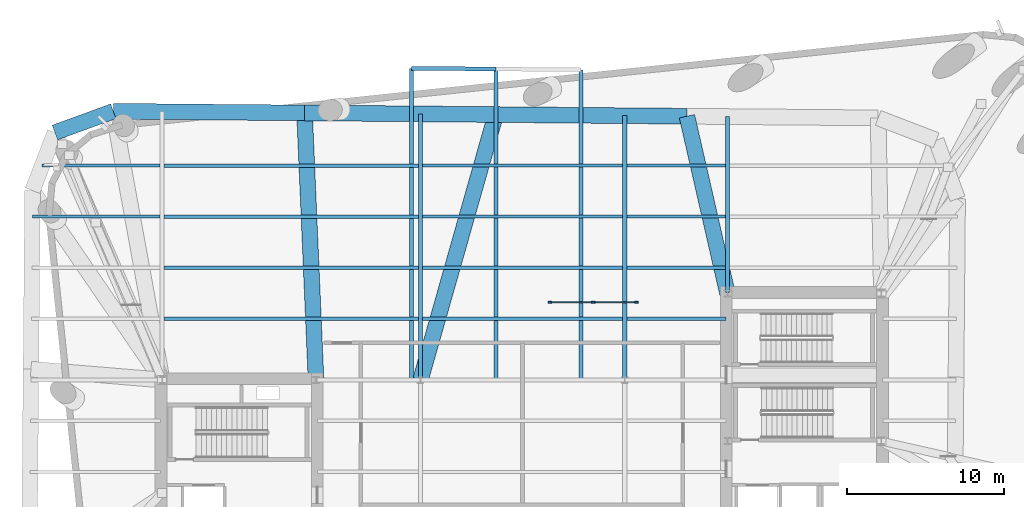
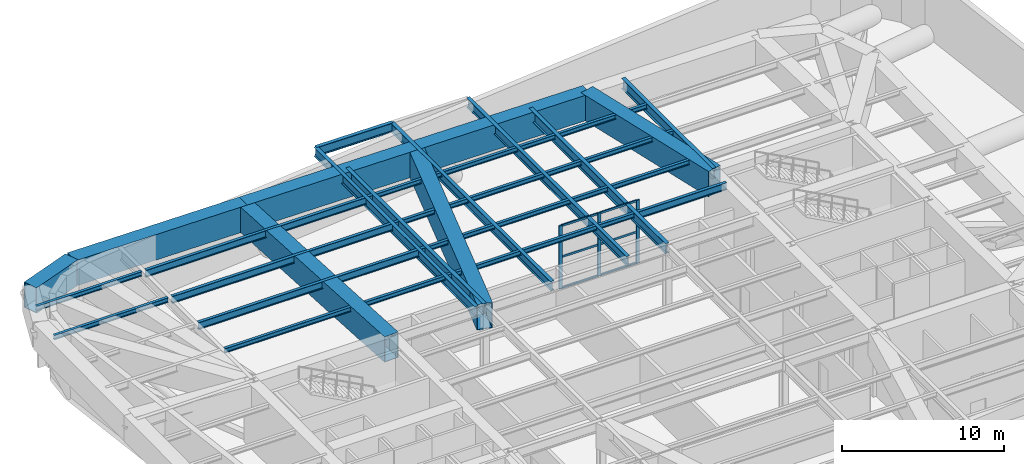
# One storey, part 4 of 15: 28 beams, 9 members, 1 element without a shape of its own.
"""IFC4 building model written with IfcOpenShell, lengths in metres."""

from ifc_helpers import new_model, si_unit, direction, frame, origin, origin_2d, place, context, subcontext, project, spatial, rectangle, hollow_rectangle, i_section, extrude, material, material_profile, profile_set, type_object, element, aggregate, save


model = new_model("IFC4")

# Units and contexts
model_context = context("Model", 3, precision=1e-05, world=origin(), true_north=direction((0.0, 1.0)))
body_context = subcontext(model_context, "Body", "Model", "MODEL_VIEW")
ifc_project = project(units=[si_unit("LENGTHUNIT", "METRE"), si_unit("AREAUNIT", "SQUARE_METRE"), si_unit("VOLUMEUNIT", "CUBIC_METRE"), si_unit("PLANEANGLEUNIT", "RADIAN"), si_unit("MASSUNIT", "GRAM", prefix="KILO")], contexts=[model_context])

# Site, building, storey
site_placement = place(None, origin())
site = spatial("IfcSite", under=ifc_project, at=site_placement, CompositionType="ELEMENT")
building_placement = place(site_placement, origin())
building = spatial("IfcBuilding", under=site, at=building_placement, Name="Kolvaren Arena Tower", CompositionType="ELEMENT")
storey_placement = place(building_placement, frame((0.0, 0.0, 153.25)))
storey = spatial("IfcBuildingStorey", under=building, at=storey_placement, Name="L36", CompositionType="ELEMENT", Elevation=153.25)

# Beams
ifc_material_1 = material(Name="Steel CSA G40.21 350W", Category="steel")
ifc_material_profile_1 = material_profile(ifc_material_1, i_section(OverallWidth=0.2119140625, OverallDepth=0.54296875, WebThickness=0.01318359375, FlangeThickness=0.0244140625, FilletRadius=0.013916015625, at=origin_2d()), Name="W530x150")
ifc_profile_set_1 = profile_set([ifc_material_profile_1], Name="Steel CSA G40.21 350W")
beam_type_1 = type_object("IfcBeamType", Name="BEAM-F1", PredefinedType="BEAM", material=ifc_profile_set_1)
beam_1_placement = place(storey_placement, frame((44.135009765625, 37.75, 4.478515625), z_axis=(1.0, 0.0, 0.0), x_axis=(0.0, 1.0, 0.0)))
element("IfcBeam", 1, at=beam_1_placement, inside=storey, type_object=beam_type_1, Name="Composite Floor Beam (L36)", PredefinedType="BEAM", context=body_context, shape_type="SweptSolid", body=[
    extrude(i_section(OverallWidth=0.2119140625, OverallDepth=0.54296875, WebThickness=0.01318359375, FlangeThickness=0.0244140625, FilletRadius=0.013916015625, at=origin_2d()), origin(), (0.0, 0.0, 1.0), 6.320068359375),
])
for number, where, z_axis, x_axis, name in (
    (2, (14.68505859375, 41.0, 4.478515625), (1.0, 0.0, 0.0), (0.0, 1.0, 0.0), "Composite Floor Beam (L36)"),
    (3, (14.68505859375, 44.25, 4.478515625), (1.0, 0.0, 0.0), (0.0, 1.0, 0.0), "Composite Floor Beam (L36)"),
    (4, (14.68505859375, 47.5, 4.478515625), (1.0, 0.0, 0.0), (0.0, 1.0, 0.0), "Composite Floor Beam (L36)"),
):
    element("IfcBeam", number, at=place(storey_placement, frame(where, z_axis=z_axis, x_axis=x_axis)), inside=storey, type_object=beam_type_1, Name=name, PredefinedType="BEAM", context=body_context, shape_type="SweptSolid", body=[
        extrude(i_section(OverallWidth=0.2119140625, OverallDepth=0.54296875, WebThickness=0.01318359375, FlangeThickness=0.0244140625, FilletRadius=0.013916015625, at=origin_2d()), origin(), (0.0, 0.0, 1.0), 16.179931640625),
    ])

# Curtain wall, members
ifc_material_2 = material(Name="Anodised aluminium unitised curtain wall", Category="aluminium")
curtain_wall_type = type_object("IfcCurtainWallType", Name="CW-SYS-05", PredefinedType="USERDEFINED", material=ifc_material_2)
curtain_wall_placement = place(storey_placement, origin())
curtain_wall = element("IfcCurtainWall", 5, at=curtain_wall_placement, inside=storey, type_object=curtain_wall_type, Name="Mechanical Plant Louvre Curtain Wall (L36)", ObjectType="ACOUSTIC LOUVRE SCREEN", PredefinedType="USERDEFINED")
ifc_material_3 = material(Name="Anodised aluminium 6063-T6", Category="aluminium")
ifc_material_profile_2 = material_profile(ifc_material_3, rectangle(XDim=0.10009765625, YDim=0.239990234375, at=origin_2d()), Name="ALU-100x240")
ifc_profile_set_2 = profile_set([ifc_material_profile_2], Name="Anodised aluminium 6063-T6")
member_type_1 = type_object("IfcMemberType", Name="CWM-HVY", PredefinedType="MULLION", material=ifc_profile_set_2)
member_1_placement = place(storey_placement, frame((39.25, 38.800048828125, 0.0), z_axis=(0.0, 0.0, 1.0), x_axis=(0.0, 1.0, 0.0)))
member_1 = element("IfcMember", 6, at=member_1_placement, type_object=member_type_1, Name="CW5 mullion 1", PredefinedType="MULLION", context=body_context, shape_type="SweptSolid", body=[
    extrude(rectangle(XDim=0.10009765625, YDim=0.239990234375, at=origin_2d()), origin(), (0.0, 0.0, 1.0), 4.75),
])
member_2_placement = place(storey_placement, frame((42.0, 38.800048828125, 0.0), z_axis=(0.0, 0.0, 1.0), x_axis=(0.0, 1.0, 0.0)))
member_2 = element("IfcMember", 7, at=member_2_placement, type_object=member_type_1, Name="CW5 mullion 2", PredefinedType="MULLION", context=body_context, shape_type="SweptSolid", body=[
    extrude(rectangle(XDim=0.10009765625, YDim=0.239990234375, at=origin_2d()), origin(), (0.0, 0.0, 1.0), 4.75),
])
member_3_placement = place(storey_placement, frame((44.75, 38.800048828125, 0.0), z_axis=(0.0, 0.0, 1.0), x_axis=(0.0, 1.0, 0.0)))
member_3 = element("IfcMember", 8, at=member_3_placement, type_object=member_type_1, Name="CW5 mullion 3", PredefinedType="MULLION", context=body_context, shape_type="SweptSolid", body=[
    extrude(rectangle(XDim=0.10009765625, YDim=0.239990234375, at=origin_2d()), origin(), (0.0, 0.0, 1.0), 4.75),
])
ifc_material_profile_3 = material_profile(ifc_material_3, rectangle(XDim=0.080078125, YDim=0.14990234375, at=origin_2d()), Name="ALU-80x150")
ifc_profile_set_3 = profile_set([ifc_material_profile_3], Name="Anodised aluminium 6063-T6")
member_type_2 = type_object("IfcMemberType", Name="CWT-STD", PredefinedType="USERDEFINED", material=ifc_profile_set_3)
member_4_placement = place(storey_placement, frame((39.300048828125, 38.800048828125, 0.0400390625), z_axis=(1.0, 0.0, 0.0), x_axis=(0.0, 1.0, 0.0)))
member_4 = element("IfcMember", 9, at=member_4_placement, type_object=member_type_2, Name="CW5 transom 1.1", ObjectType="TRANSOM", PredefinedType="USERDEFINED", context=body_context, shape_type="SweptSolid", body=[
    extrude(rectangle(XDim=0.080078125, YDim=0.14990234375, at=origin_2d()), origin(), (0.0, 0.0, 1.0), 2.64990234375),
])
member_5_placement = place(storey_placement, frame((39.300048828125, 38.800048828125, 2.375), z_axis=(1.0, 0.0, 0.0), x_axis=(0.0, 1.0, 0.0)))
member_5 = element("IfcMember", 10, at=member_5_placement, type_object=member_type_2, Name="CW5 transom 1.2", ObjectType="TRANSOM", PredefinedType="USERDEFINED", context=body_context, shape_type="SweptSolid", body=[
    extrude(rectangle(XDim=0.080078125, YDim=0.14990234375, at=origin_2d()), origin(), (0.0, 0.0, 1.0), 2.64990234375),
])
member_6_placement = place(storey_placement, frame((39.300048828125, 38.800048828125, 4.7099609375), z_axis=(1.0, 0.0, 0.0), x_axis=(0.0, 1.0, 0.0)))
member_6 = element("IfcMember", 11, at=member_6_placement, type_object=member_type_2, Name="CW5 transom 1.3", ObjectType="TRANSOM", PredefinedType="USERDEFINED", context=body_context, shape_type="SweptSolid", body=[
    extrude(rectangle(XDim=0.080078125, YDim=0.14990234375, at=origin_2d()), origin(), (0.0, 0.0, 1.0), 2.64990234375),
])
member_7_placement = place(storey_placement, frame((42.050048828125, 38.800048828125, 0.0400390625), z_axis=(1.0, 0.0, 0.0), x_axis=(0.0, 1.0, 0.0)))
member_7 = element("IfcMember", 12, at=member_7_placement, type_object=member_type_2, Name="CW5 transom 2.1", ObjectType="TRANSOM", PredefinedType="USERDEFINED", context=body_context, shape_type="SweptSolid", body=[
    extrude(rectangle(XDim=0.080078125, YDim=0.14990234375, at=origin_2d()), origin(), (0.0, 0.0, 1.0), 2.64990234375),
])
member_8_placement = place(storey_placement, frame((42.050048828125, 38.800048828125, 2.375), z_axis=(1.0, 0.0, 0.0), x_axis=(0.0, 1.0, 0.0)))
member_8 = element("IfcMember", 13, at=member_8_placement, type_object=member_type_2, Name="CW5 transom 2.2", ObjectType="TRANSOM", PredefinedType="USERDEFINED", context=body_context, shape_type="SweptSolid", body=[
    extrude(rectangle(XDim=0.080078125, YDim=0.14990234375, at=origin_2d()), origin(), (0.0, 0.0, 1.0), 2.64990234375),
])
member_9_placement = place(storey_placement, frame((42.050048828125, 38.800048828125, 4.7099609375), z_axis=(1.0, 0.0, 0.0), x_axis=(0.0, 1.0, 0.0)))
member_9 = element("IfcMember", 14, at=member_9_placement, type_object=member_type_2, Name="CW5 transom 2.3", ObjectType="TRANSOM", PredefinedType="USERDEFINED", context=body_context, shape_type="SweptSolid", body=[
    extrude(rectangle(XDim=0.080078125, YDim=0.14990234375, at=origin_2d()), origin(), (0.0, 0.0, 1.0), 2.64990234375),
])
aggregate(curtain_wall, [member_1, member_2, member_3, member_4, member_5, member_6, member_7, member_8, member_9])

# Beams
ifc_material_profile_4 = material_profile(ifc_material_1, i_section(OverallWidth=0.27001953125, OverallDepth=0.77294921875, WebThickness=0.019287109375, FlangeThickness=0.033447265625, FilletRadius=0.01806640625, at=origin_2d()), Name="W760x257")
ifc_profile_set_4 = profile_set([ifc_material_profile_4], Name="Steel CSA G40.21 350W")
beam_type_2 = type_object("IfcBeamType", Name="GIRD-T1", PredefinedType="BEAM", material=ifc_profile_set_4)
beam_2_placement = place(storey_placement, frame((31.0, 33.85009765625, 4.363525390625), z_axis=(0.0, 1.0, 0.0), x_axis=(-1.0, 0.0, 0.0)))
element("IfcBeam", 15, at=beam_2_placement, inside=storey, type_object=beam_type_2, Name="Primary Floor Girder (L36)", PredefinedType="BEAM", context=body_context, shape_type="SweptSolid", body=[
    extrude(i_section(OverallWidth=0.27001953125, OverallDepth=0.77294921875, WebThickness=0.019287109375, FlangeThickness=0.033447265625, FilletRadius=0.01806640625, at=origin_2d()), origin(), (0.0, 0.0, 1.0), 16.94091796875),
])
beam_3_placement = place(storey_placement, frame((44.0, 33.85009765625, 4.363525390625), z_axis=(0.0, 1.0, 0.0), x_axis=(-1.0, 0.0, 0.0)))
element("IfcBeam", 16, at=beam_3_placement, inside=storey, type_object=beam_type_2, Name="Primary Floor Girder (L36)", PredefinedType="BEAM", context=body_context, shape_type="SweptSolid", body=[
    extrude(i_section(OverallWidth=0.27001953125, OverallDepth=0.77294921875, WebThickness=0.019287109375, FlangeThickness=0.033447265625, FilletRadius=0.01806640625, at=origin_2d()), origin(), (0.0, 0.0, 1.0), 16.827392578125),
])
beam_4_placement = place(storey_placement, frame((50.550048828125, 39.405029296875, 4.363525390625), z_axis=(0.0, 1.0, 0.0), x_axis=(-1.0, 0.0, 0.0)))
element("IfcBeam", 17, at=beam_4_placement, inside=storey, type_object=beam_type_2, Name="Primary Floor Girder (L36)", PredefinedType="BEAM", context=body_context, shape_type="SweptSolid", body=[
    extrude(i_section(OverallWidth=0.27001953125, OverallDepth=0.77294921875, WebThickness=0.019287109375, FlangeThickness=0.033447265625, FilletRadius=0.01806640625, at=origin_2d()), origin(), (0.0, 0.0, 1.0), 11.21533203125),
])
ifc_material_profile_5 = material_profile(ifc_material_1, i_section(OverallWidth=0.2548828125, OverallDepth=0.695068359375, WebThickness=0.01708984375, FlangeThickness=0.02978515625, FilletRadius=0.01611328125, at=origin_2d()), Name="W690x217")
ifc_profile_set_5 = profile_set([ifc_material_profile_5], Name="Steel CSA G40.21 350W")
beam_type_3 = type_object("IfcBeamType", Name="GIRD-T2", PredefinedType="BEAM", material=ifc_profile_set_5)
beam_5_placement = place(storey_placement, frame((30.418701171875, 33.85009765625, 4.402587890625), z_axis=(0.0, 1.0, 0.0), x_axis=(-1.0, 0.0, 0.0)))
element("IfcBeam", 18, at=beam_5_placement, inside=storey, type_object=beam_type_3, Name="Terrace Cantilever Support Girder (L37)", PredefinedType="BEAM", context=body_context, shape_type="SweptSolid", body=[
    extrude(i_section(OverallWidth=0.2548828125, OverallDepth=0.695068359375, WebThickness=0.01708984375, FlangeThickness=0.02978515625, FilletRadius=0.01611328125, at=origin_2d()), origin(), (0.0, 0.0, 1.0), 19.84619140625),
])
beam_6_placement = place(storey_placement, frame((35.818603515625, 33.85009765625, 4.402587890625), z_axis=(0.0, 1.0, 0.0), x_axis=(-1.0, 0.0, 0.0)))
element("IfcBeam", 19, at=beam_6_placement, inside=storey, type_object=beam_type_3, Name="Terrace Cantilever Support Girder (L37)", PredefinedType="BEAM", context=body_context, shape_type="SweptSolid", body=[
    extrude(i_section(OverallWidth=0.2548828125, OverallDepth=0.695068359375, WebThickness=0.01708984375, FlangeThickness=0.02978515625, FilletRadius=0.01611328125, at=origin_2d()), origin(), (0.0, 0.0, 1.0), 19.798828125),
])
beam_7_placement = place(storey_placement, frame((41.218505859375, 33.85009765625, 4.402587890625), z_axis=(0.0, 1.0, 0.0), x_axis=(-1.0, 0.0, 0.0)))
element("IfcBeam", 20, at=beam_7_placement, inside=storey, type_object=beam_type_3, Name="Terrace Cantilever Support Girder (L37)", PredefinedType="BEAM", context=body_context, shape_type="SweptSolid", body=[
    extrude(i_section(OverallWidth=0.2548828125, OverallDepth=0.695068359375, WebThickness=0.01708984375, FlangeThickness=0.02978515625, FilletRadius=0.01611328125, at=origin_2d()), origin(), (0.0, 0.0, 1.0), 19.751708984375),
])
beam_8_placement = place(storey_placement, frame((30.418701171875, 53.6962890625, 4.402587890625), z_axis=(0.9999615358, -0.008770799256, 0.0), x_axis=(0.008770799256, 0.9999615358, 0.0)))
element("IfcBeam", 21, at=beam_8_placement, inside=storey, type_object=beam_type_3, Name="Terrace Edge Fascia Beam (L37)", PredefinedType="BEAM", context=body_context, shape_type="SweptSolid", body=[
    extrude(i_section(OverallWidth=0.2548828125, OverallDepth=0.695068359375, WebThickness=0.01708984375, FlangeThickness=0.02978515625, FilletRadius=0.01611328125, at=origin_2d()), origin(), (0.0, 0.0, 1.0), 5.400146484375),
])
ifc_material_profile_6 = material_profile(ifc_material_1, i_section(OverallWidth=0.202880859375, OverallDepth=0.346923828125, WebThickness=0.0078125, FlangeThickness=0.013427734375, FilletRadius=0.010986328125, at=origin_2d()), Name="W360x64")
ifc_profile_set_6 = profile_set([ifc_material_profile_6], Name="Steel CSA G40.21 350W")
beam_type_4 = type_object("IfcBeamType", Name="JOIST-01", PredefinedType="JOIST", material=ifc_profile_set_6)
beam_9_placement = place(storey_placement, frame((14.68505859375, 37.75, 4.576416015625), z_axis=(1.0, 0.0, 0.0), x_axis=(0.0, 1.0, 0.0)))
element("IfcBeam", 22, at=beam_9_placement, inside=storey, type_object=beam_type_4, Name="Composite Floor Joist (L36)", PredefinedType="JOIST", context=body_context, shape_type="SweptSolid", body=[
    extrude(i_section(OverallWidth=0.202880859375, OverallDepth=0.346923828125, WebThickness=0.0078125, FlangeThickness=0.013427734375, FilletRadius=0.010986328125, at=origin_2d()), origin(), (0.0, 0.0, 1.0), 16.179931640625),
])
for number, where, z_axis, x_axis, name in (
    (23, (31.135009765625, 37.75, 4.576416015625), (1.0, 0.0, 0.0), (0.0, 1.0, 0.0), "Composite Floor Joist (L36)"),
    (24, (31.135009765625, 41.0, 4.576416015625), (1.0, 0.0, 0.0), (0.0, 1.0, 0.0), "Composite Floor Joist (L36)"),
):
    element("IfcBeam", number, at=place(storey_placement, frame(where, z_axis=z_axis, x_axis=x_axis)), inside=storey, type_object=beam_type_4, Name=name, PredefinedType="JOIST", context=body_context, shape_type="SweptSolid", body=[
        extrude(i_section(OverallWidth=0.202880859375, OverallDepth=0.346923828125, WebThickness=0.0078125, FlangeThickness=0.013427734375, FilletRadius=0.010986328125, at=origin_2d()), origin(), (0.0, 0.0, 1.0), 12.72998046875),
    ])
beam_10_placement = place(storey_placement, frame((44.135009765625, 41.0, 4.576416015625), z_axis=(1.0, 0.0, 0.0), x_axis=(0.0, 1.0, 0.0)))
element("IfcBeam", 25, at=beam_10_placement, inside=storey, type_object=beam_type_4, Name="Composite Floor Joist (L36)", PredefinedType="JOIST", context=body_context, shape_type="SweptSolid", body=[
    extrude(i_section(OverallWidth=0.202880859375, OverallDepth=0.346923828125, WebThickness=0.0078125, FlangeThickness=0.013427734375, FilletRadius=0.010986328125, at=origin_2d()), origin(), (0.0, 0.0, 1.0), 6.280029296875),
])
beam_11_placement = place(storey_placement, frame((6.285400390625, 44.25, 4.576416015625), z_axis=(1.0, 0.0, 0.0), x_axis=(0.0, 1.0, 0.0)))
element("IfcBeam", 26, at=beam_11_placement, inside=storey, type_object=beam_type_4, Name="Composite Floor Joist (L36)", PredefinedType="JOIST", context=body_context, shape_type="SweptSolid", body=[
    extrude(i_section(OverallWidth=0.202880859375, OverallDepth=0.346923828125, WebThickness=0.0078125, FlangeThickness=0.013427734375, FilletRadius=0.010986328125, at=origin_2d()), origin(), (0.0, 0.0, 1.0), 8.129638671875),
])
beam_12_placement = place(storey_placement, frame((31.135009765625, 44.25, 4.576416015625), z_axis=(1.0, 0.0, 0.0), x_axis=(0.0, 1.0, 0.0)))
element("IfcBeam", 27, at=beam_12_placement, inside=storey, type_object=beam_type_4, Name="Composite Floor Joist (L36)", PredefinedType="JOIST", context=body_context, shape_type="SweptSolid", body=[
    extrude(i_section(OverallWidth=0.202880859375, OverallDepth=0.346923828125, WebThickness=0.0078125, FlangeThickness=0.013427734375, FilletRadius=0.010986328125, at=origin_2d()), origin(), (0.0, 0.0, 1.0), 12.72998046875),
])
beam_13_placement = place(storey_placement, frame((44.135009765625, 44.25, 4.576416015625), z_axis=(1.0, 0.0, 0.0), x_axis=(0.0, 1.0, 0.0)))
element("IfcBeam", 28, at=beam_13_placement, inside=storey, type_object=beam_type_4, Name="Composite Floor Joist (L36)", PredefinedType="JOIST", context=body_context, shape_type="SweptSolid", body=[
    extrude(i_section(OverallWidth=0.202880859375, OverallDepth=0.346923828125, WebThickness=0.0078125, FlangeThickness=0.013427734375, FilletRadius=0.010986328125, at=origin_2d()), origin(), (0.0, 0.0, 1.0), 6.280029296875),
])
beam_14_placement = place(storey_placement, frame((6.913818359375, 47.5, 4.576416015625), z_axis=(1.0, 0.0, 0.0), x_axis=(0.0, 1.0, 0.0)))
element("IfcBeam", 29, at=beam_14_placement, inside=storey, type_object=beam_type_4, Name="Composite Floor Joist (L36)", PredefinedType="JOIST", context=body_context, shape_type="SweptSolid", body=[
    extrude(i_section(OverallWidth=0.202880859375, OverallDepth=0.346923828125, WebThickness=0.0078125, FlangeThickness=0.013427734375, FilletRadius=0.010986328125, at=origin_2d()), origin(), (0.0, 0.0, 1.0), 7.501220703125),
])
beam_15_placement = place(storey_placement, frame((31.135009765625, 47.5, 4.576416015625), z_axis=(1.0, 0.0, 0.0), x_axis=(0.0, 1.0, 0.0)))
element("IfcBeam", 30, at=beam_15_placement, inside=storey, type_object=beam_type_4, Name="Composite Floor Joist (L36)", PredefinedType="JOIST", context=body_context, shape_type="SweptSolid", body=[
    extrude(i_section(OverallWidth=0.202880859375, OverallDepth=0.346923828125, WebThickness=0.0078125, FlangeThickness=0.013427734375, FilletRadius=0.010986328125, at=origin_2d()), origin(), (0.0, 0.0, 1.0), 12.72998046875),
])
beam_16_placement = place(storey_placement, frame((44.135009765625, 47.5, 4.576416015625), z_axis=(1.0, 0.0, 0.0), x_axis=(0.0, 1.0, 0.0)))
element("IfcBeam", 31, at=beam_16_placement, inside=storey, type_object=beam_type_4, Name="Composite Floor Joist (L36)", PredefinedType="JOIST", context=body_context, shape_type="SweptSolid", body=[
    extrude(i_section(OverallWidth=0.202880859375, OverallDepth=0.346923828125, WebThickness=0.0078125, FlangeThickness=0.013427734375, FilletRadius=0.010986328125, at=origin_2d()), origin(), (0.0, 0.0, 1.0), 6.280029296875),
])
ifc_material_4 = material(Name="Steel CSA G40.21 350WT", Category="steel")
ifc_material_profile_7 = material_profile(ifc_material_4, hollow_rectangle(XDim=1.0, YDim=1.919921875, WallThickness=0.044921875, at=origin_2d()), Name="BOX 1000x1920x45")
ifc_profile_set_7 = profile_set([ifc_material_profile_7], Name="Steel CSA G40.21 350WT")
beam_type_5 = type_object("IfcBeamType", Name="TG-MEGA", PredefinedType="USERDEFINED", material=ifc_profile_set_7)
beam_17_placement = place(storey_placement, frame((47.9677734375, 50.642822265625, 3.7900390625), z_axis=(-0.999961779919, 0.008742922896, 0.0), x_axis=(-0.008742922896, -0.999961779919, 0.0)))
element("IfcBeam", 32, at=beam_17_placement, inside=storey, type_object=beam_type_5, Name="Perimeter Transfer Ring Girder 13 (L36)", ObjectType="TRANSFER GIRDER", PredefinedType="USERDEFINED", context=body_context, shape_type="SweptSolid", body=[
    extrude(hollow_rectangle(XDim=1.0, YDim=1.919921875, WallThickness=0.044921875, at=origin_2d()), origin(), (0.0, 0.0, 1.0), 12.175048828125),
])
beam_18_placement = place(storey_placement, frame((47.9677734375, 50.642822265625, 3.7900390625), z_axis=(0.222913499982, -0.974838228388, 0.0), x_axis=(0.974838228388, 0.222913499982, 0.0)))
element("IfcBeam", 33, at=beam_18_placement, inside=storey, type_object=beam_type_5, Name="Cantilever Block Transfer Girder 13 (L36)", ObjectType="TRANSFER GIRDER", PredefinedType="USERDEFINED", context=body_context, shape_type="SweptSolid", body=[
    extrude(hollow_rectangle(XDim=1.0, YDim=1.919921875, WallThickness=0.044921875, at=origin_2d()), origin(), (0.0, 0.0, 1.0), 11.584228515625),
])
beam_19_placement = place(storey_placement, frame((35.793212890625, 50.749267578125, 3.7900390625), z_axis=(-0.999961953504, 0.008723046761, 0.0), x_axis=(-0.008723046761, -0.999961953504, 0.0)))
element("IfcBeam", 34, at=beam_19_placement, inside=storey, type_object=beam_type_5, Name="Perimeter Transfer Ring Girder 14 (L36)", ObjectType="TRANSFER GIRDER", PredefinedType="USERDEFINED", context=body_context, shape_type="SweptSolid", body=[
    extrude(hollow_rectangle(XDim=1.0, YDim=1.919921875, WallThickness=0.044921875, at=origin_2d()), origin(), (0.0, 0.0, 1.0), 12.1748046875),
])
beam_20_placement = place(storey_placement, frame((35.793212890625, 50.749267578125, 3.7900390625), z_axis=(-0.272872100411, -0.962050319275, 0.0), x_axis=(0.962050319275, -0.272872100411, 0.0)))
element("IfcBeam", 35, at=beam_20_placement, inside=storey, type_object=beam_type_5, Name="Cantilever Block Transfer Girder 14 (L36)", ObjectType="TRANSFER GIRDER", PredefinedType="USERDEFINED", context=body_context, shape_type="SweptSolid", body=[
    extrude(hollow_rectangle(XDim=1.0, YDim=1.919921875, WallThickness=0.044921875, at=origin_2d()), origin(), (0.0, 0.0, 1.0), 17.565673828125),
])
beam_21_placement = place(storey_placement, frame((23.618896484375, 50.85546875, 3.7900390625), z_axis=(-0.999961956555, 0.008722696942, 0.0), x_axis=(-0.008722696942, -0.999961956555, 0.0)))
element("IfcBeam", 36, at=beam_21_placement, inside=storey, type_object=beam_type_5, Name="Perimeter Transfer Ring Girder 15 (L36)", ObjectType="TRANSFER GIRDER", PredefinedType="USERDEFINED", context=body_context, shape_type="SweptSolid", body=[
    extrude(hollow_rectangle(XDim=1.0, YDim=1.919921875, WallThickness=0.044921875, at=origin_2d()), origin(), (0.0, 0.0, 1.0), 12.17529296875),
])
beam_22_placement = place(storey_placement, frame((23.618896484375, 50.85546875, 3.7900390625), z_axis=(0.042958554875, -0.999076855183, 0.0), x_axis=(0.999076855183, 0.042958554875, 0.0)))
element("IfcBeam", 37, at=beam_22_placement, inside=storey, type_object=beam_type_5, Name="Cantilever Block Transfer Girder 15 (L36)", ObjectType="TRANSFER GIRDER", PredefinedType="USERDEFINED", context=body_context, shape_type="SweptSolid", body=[
    extrude(hollow_rectangle(XDim=1.0, YDim=1.919921875, WallThickness=0.044921875, at=origin_2d()), origin(), (0.0, 0.0, 1.0), 17.02099609375),
])
beam_23_placement = place(storey_placement, frame((11.444091796875, 50.961669921875, 3.7900390625), z_axis=(-0.939313819882, -0.343059102458, 0.0), x_axis=(0.343059102458, -0.939313819882, 0.0)))
element("IfcBeam", 38, at=beam_23_placement, inside=storey, type_object=beam_type_5, Name="Perimeter Transfer Ring Girder 16 (L36)", ObjectType="TRANSFER GIRDER", PredefinedType="USERDEFINED", context=body_context, shape_type="SweptSolid", body=[
    extrude(hollow_rectangle(XDim=1.0, YDim=1.919921875, WallThickness=0.044921875, at=origin_2d()), origin(), (0.0, 0.0, 1.0), 3.961181640625),
])

save(model, "model.ifc")
